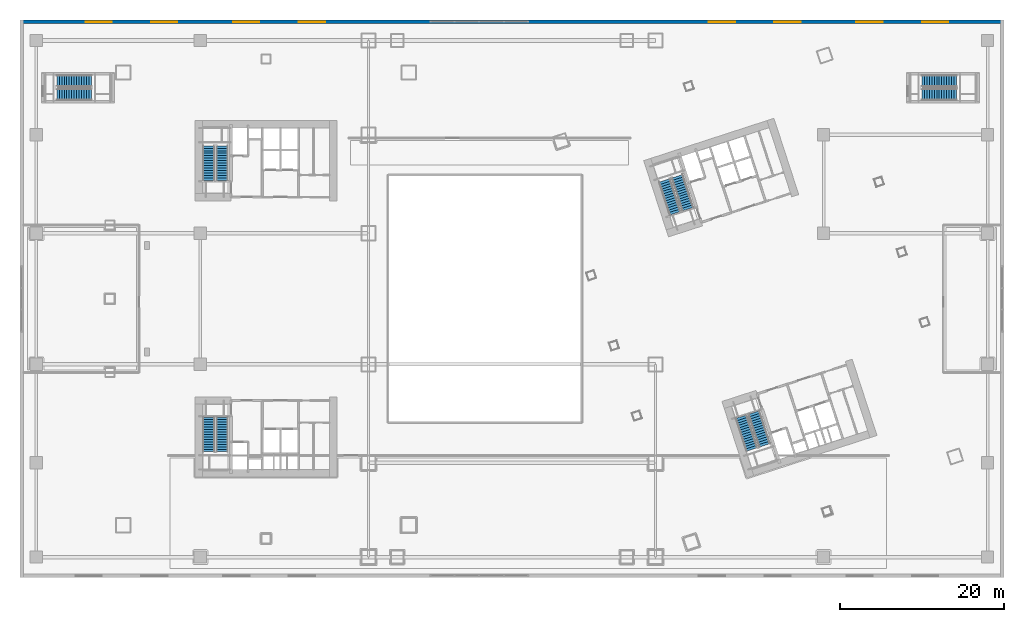
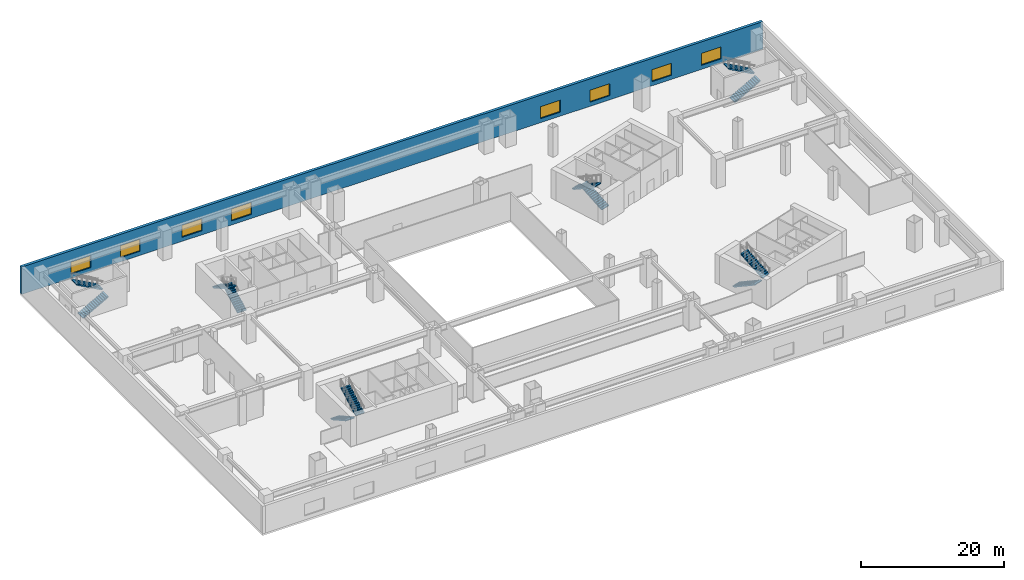
# One storey, part 29 of 35: 12 stair flights, 8 windows, 1 wall, 8 openings, 6 elements without a shape of their own.
"""IFC4 building model written with IfcOpenShell, lengths in metres."""

from ifc_helpers import new_model, si_unit, direction, frame, frame_2d, origin, place, context, subcontext, project, spatial, polyline, rectangle, outline, extrude, material, layer, layer_set, type_object, element, fill, aggregate, save


model = new_model("IFC4")

# Units and contexts
model_context = context("Model", 3, precision=1e-05, world=origin(), true_north=direction((0.0, 1.0)))
body_context = subcontext(model_context, "Body", "Model", "MODEL_VIEW")
ifc_project = project(units=[si_unit("LENGTHUNIT", "METRE"), si_unit("AREAUNIT", "SQUARE_METRE"), si_unit("VOLUMEUNIT", "CUBIC_METRE"), si_unit("PLANEANGLEUNIT", "RADIAN"), si_unit("MASSUNIT", "GRAM", prefix="KILO")], contexts=[model_context])

# Site, building, storey
site_placement = place(None, origin())
site = spatial("IfcSite", under=ifc_project, at=site_placement, CompositionType="ELEMENT")
building_placement = place(site_placement, origin())
building = spatial("IfcBuilding", under=site, at=building_placement, Name="Qiaolan Cultural Towers", CompositionType="ELEMENT")
storey_placement = place(building_placement, frame((0.0, 0.0, 11.5)))
storey = spatial("IfcBuildingStorey", under=building, at=storey_placement, Name="L02", CompositionType="ELEMENT", Elevation=11.5)

# Wall, openings, windows
ifc_material_1 = material(Name="Precast Concrete C50 Bush-Hammered Granite Pier", Category="masonry")
ifc_layer = layer(ifc_material_1, 0.449951171875)
ifc_layer_set = layer_set([ifc_layer], Name="Precast Concrete C50 Bush-Hammered Granite Pier")
wall_type = type_object("IfcWallType", Name="WL-EXT-POD-450", PredefinedType="SOLIDWALL", material=ifc_layer_set)
wall_placement = place(storey_placement, frame((0.0, 67.77490234375, 0.0), z_axis=(0.0, 0.0, 1.0), x_axis=(1.0, 0.0, 0.0)))
wall = element("IfcWall", 1, at=wall_placement, inside=storey, type_object=wall_type, Name="L02 Podium Precast Facade Wall NORTH", PredefinedType="SOLIDWALL", context=body_context, shape_type="SweptSolid", body=[
    extrude(rectangle(XDim=120.0, YDim=0.449951171875, at=frame_2d((60.0, 0.0))), origin(), (0.0, 0.0, 1.0), 4.699951171875),
])
opening_1_placement = place(wall_placement, frame((8.0, 0.0, 0.699951171875)))
opening_1 = element("IfcOpeningElement", 2, at=opening_1_placement, cuts=wall, Name="Opening W-04", PredefinedType="OPENING", context=body_context, shape_type="SweptSolid", body=[
    extrude(rectangle(XDim=3.199951171875, YDim=2.050048828125, at=frame_2d((1.60009765625, 1.02490234375))), frame((0.0, 0.23486328125, 0.0), z_axis=(0.0, -1.0, 0.0), x_axis=(1.0, 0.0, 0.0)), (0.0, 0.0, 1.0), 0.469970703125),
])
opening_2_placement = place(wall_placement, frame((16.0, 0.0, 0.699951171875)))
opening_2 = element("IfcOpeningElement", 3, at=opening_2_placement, cuts=wall, Name="Opening W-04", PredefinedType="OPENING", context=body_context, shape_type="SweptSolid", body=[
    extrude(rectangle(XDim=3.199951171875, YDim=2.050048828125, at=frame_2d((1.60009765625, 1.02490234375))), frame((0.0, 0.23486328125, 0.0), z_axis=(0.0, -1.0, 0.0), x_axis=(1.0, 0.0, 0.0)), (0.0, 0.0, 1.0), 0.469970703125),
])
opening_3_placement = place(wall_placement, frame((26.0, 0.0, 0.699951171875)))
opening_3 = element("IfcOpeningElement", 4, at=opening_3_placement, cuts=wall, Name="Opening W-04", PredefinedType="OPENING", context=body_context, shape_type="SweptSolid", body=[
    extrude(rectangle(XDim=3.199951171875, YDim=2.050048828125, at=frame_2d((1.60009765625, 1.02490234375))), frame((0.0, 0.23486328125, 0.0), z_axis=(0.0, -1.0, 0.0), x_axis=(1.0, 0.0, 0.0)), (0.0, 0.0, 1.0), 0.469970703125),
])
opening_4_placement = place(wall_placement, frame((34.0, 0.0, 0.699951171875)))
opening_4 = element("IfcOpeningElement", 5, at=opening_4_placement, cuts=wall, Name="Opening W-04", PredefinedType="OPENING", context=body_context, shape_type="SweptSolid", body=[
    extrude(rectangle(XDim=3.199951171875, YDim=2.050048828125, at=frame_2d((1.60009765625, 1.02490234375))), frame((0.0, 0.23486328125, 0.0), z_axis=(0.0, -1.0, 0.0), x_axis=(1.0, 0.0, 0.0)), (0.0, 0.0, 1.0), 0.469970703125),
])
opening_5_placement = place(wall_placement, frame((84.0, 0.0, 0.699951171875)))
opening_5 = element("IfcOpeningElement", 6, at=opening_5_placement, cuts=wall, Name="Opening W-04", PredefinedType="OPENING", context=body_context, shape_type="SweptSolid", body=[
    extrude(rectangle(XDim=3.199951171875, YDim=2.050048828125, at=frame_2d((1.60009765625, 1.02490234375))), frame((0.0, 0.23486328125, 0.0), z_axis=(0.0, -1.0, 0.0), x_axis=(1.0, 0.0, 0.0)), (0.0, 0.0, 1.0), 0.469970703125),
])
opening_6_placement = place(wall_placement, frame((92.0, 0.0, 0.699951171875)))
opening_6 = element("IfcOpeningElement", 7, at=opening_6_placement, cuts=wall, Name="Opening W-04", PredefinedType="OPENING", context=body_context, shape_type="SweptSolid", body=[
    extrude(rectangle(XDim=3.199951171875, YDim=2.050048828125, at=frame_2d((1.60009765625, 1.02490234375))), frame((0.0, 0.23486328125, 0.0), z_axis=(0.0, -1.0, 0.0), x_axis=(1.0, 0.0, 0.0)), (0.0, 0.0, 1.0), 0.469970703125),
])
opening_7_placement = place(wall_placement, frame((102.0, 0.0, 0.699951171875)))
opening_7 = element("IfcOpeningElement", 8, at=opening_7_placement, cuts=wall, Name="Opening W-04", PredefinedType="OPENING", context=body_context, shape_type="SweptSolid", body=[
    extrude(rectangle(XDim=3.199951171875, YDim=2.050048828125, at=frame_2d((1.60009765625, 1.02490234375))), frame((0.0, 0.23486328125, 0.0), z_axis=(0.0, -1.0, 0.0), x_axis=(1.0, 0.0, 0.0)), (0.0, 0.0, 1.0), 0.469970703125),
])
opening_8_placement = place(wall_placement, frame((110.0, 0.0, 0.699951171875)))
opening_8 = element("IfcOpeningElement", 9, at=opening_8_placement, cuts=wall, Name="Opening W-04", PredefinedType="OPENING", context=body_context, shape_type="SweptSolid", body=[
    extrude(rectangle(XDim=3.199951171875, YDim=2.050048828125, at=frame_2d((1.60009765625, 1.02490234375))), frame((0.0, 0.23486328125, 0.0), z_axis=(0.0, -1.0, 0.0), x_axis=(1.0, 0.0, 0.0)), (0.0, 0.0, 1.0), 0.469970703125),
])
ifc_material_2 = material(Name="Thermally Broken Aluminium Triple Low-E Glazing", Category="aluminium")
window_type = type_object("IfcWindowType", Name="WN-POD-3200", PartitioningType="SINGLE_PANEL", PredefinedType="WINDOW", material=ifc_material_2)
window_1_placement = place(opening_1_placement, origin())
window_1 = element("IfcWindow", 10, at=window_1_placement, inside=storey, type_object=window_type, Name="L02 Podium Chicago Window NORTH-01", OverallHeight=2.050048828125, OverallWidth=3.199951171875, PartitioningType="TRIPLE_PANEL_VERTICAL", PredefinedType="WINDOW", context=body_context, shape_type="SweptSolid", body=[
    extrude(rectangle(XDim=3.199951171875, YDim=2.050048828125, at=frame_2d((1.60009765625, 1.02490234375))), frame((0.0, 0.030029296875, 0.0), z_axis=(0.0, -1.0, 0.0), x_axis=(1.0, 0.0, 0.0)), (0.0, 0.0, 1.0), 0.06005859375),
])
fill(opening_1, window_1)
window_2_placement = place(opening_2_placement, origin())
window_2 = element("IfcWindow", 11, at=window_2_placement, inside=storey, type_object=window_type, Name="L02 Podium Chicago Window NORTH-02", OverallHeight=2.050048828125, OverallWidth=3.199951171875, PartitioningType="TRIPLE_PANEL_VERTICAL", PredefinedType="WINDOW", context=body_context, shape_type="SweptSolid", body=[
    extrude(rectangle(XDim=3.199951171875, YDim=2.050048828125, at=frame_2d((1.60009765625, 1.02490234375))), frame((0.0, 0.030029296875, 0.0), z_axis=(0.0, -1.0, 0.0), x_axis=(1.0, 0.0, 0.0)), (0.0, 0.0, 1.0), 0.06005859375),
])
fill(opening_2, window_2)
window_3_placement = place(opening_3_placement, origin())
window_3 = element("IfcWindow", 12, at=window_3_placement, inside=storey, type_object=window_type, Name="L02 Podium Chicago Window NORTH-03", OverallHeight=2.050048828125, OverallWidth=3.199951171875, PartitioningType="TRIPLE_PANEL_VERTICAL", PredefinedType="WINDOW", context=body_context, shape_type="SweptSolid", body=[
    extrude(rectangle(XDim=3.199951171875, YDim=2.050048828125, at=frame_2d((1.60009765625, 1.02490234375))), frame((0.0, 0.030029296875, 0.0), z_axis=(0.0, -1.0, 0.0), x_axis=(1.0, 0.0, 0.0)), (0.0, 0.0, 1.0), 0.06005859375),
])
fill(opening_3, window_3)
window_4_placement = place(opening_4_placement, origin())
window_4 = element("IfcWindow", 13, at=window_4_placement, inside=storey, type_object=window_type, Name="L02 Podium Chicago Window NORTH-04", OverallHeight=2.050048828125, OverallWidth=3.199951171875, PartitioningType="TRIPLE_PANEL_VERTICAL", PredefinedType="WINDOW", context=body_context, shape_type="SweptSolid", body=[
    extrude(rectangle(XDim=3.199951171875, YDim=2.050048828125, at=frame_2d((1.60009765625, 1.02490234375))), frame((0.0, 0.030029296875, 0.0), z_axis=(0.0, -1.0, 0.0), x_axis=(1.0, 0.0, 0.0)), (0.0, 0.0, 1.0), 0.06005859375),
])
fill(opening_4, window_4)
window_5_placement = place(opening_5_placement, origin())
window_5 = element("IfcWindow", 14, at=window_5_placement, inside=storey, type_object=window_type, Name="L02 Podium Chicago Window NORTH-05", OverallHeight=2.050048828125, OverallWidth=3.199951171875, PartitioningType="TRIPLE_PANEL_VERTICAL", PredefinedType="WINDOW", context=body_context, shape_type="SweptSolid", body=[
    extrude(rectangle(XDim=3.199951171875, YDim=2.050048828125, at=frame_2d((1.60009765625, 1.02490234375))), frame((0.0, 0.030029296875, 0.0), z_axis=(0.0, -1.0, 0.0), x_axis=(1.0, 0.0, 0.0)), (0.0, 0.0, 1.0), 0.06005859375),
])
fill(opening_5, window_5)
window_6_placement = place(opening_6_placement, origin())
window_6 = element("IfcWindow", 15, at=window_6_placement, inside=storey, type_object=window_type, Name="L02 Podium Chicago Window NORTH-06", OverallHeight=2.050048828125, OverallWidth=3.199951171875, PartitioningType="TRIPLE_PANEL_VERTICAL", PredefinedType="WINDOW", context=body_context, shape_type="SweptSolid", body=[
    extrude(rectangle(XDim=3.199951171875, YDim=2.050048828125, at=frame_2d((1.60009765625, 1.02490234375))), frame((0.0, 0.030029296875, 0.0), z_axis=(0.0, -1.0, 0.0), x_axis=(1.0, 0.0, 0.0)), (0.0, 0.0, 1.0), 0.06005859375),
])
fill(opening_6, window_6)
window_7_placement = place(opening_7_placement, origin())
window_7 = element("IfcWindow", 16, at=window_7_placement, inside=storey, type_object=window_type, Name="L02 Podium Chicago Window NORTH-07", OverallHeight=2.050048828125, OverallWidth=3.199951171875, PartitioningType="TRIPLE_PANEL_VERTICAL", PredefinedType="WINDOW", context=body_context, shape_type="SweptSolid", body=[
    extrude(rectangle(XDim=3.199951171875, YDim=2.050048828125, at=frame_2d((1.60009765625, 1.02490234375))), frame((0.0, 0.030029296875, 0.0), z_axis=(0.0, -1.0, 0.0), x_axis=(1.0, 0.0, 0.0)), (0.0, 0.0, 1.0), 0.06005859375),
])
fill(opening_7, window_7)
window_8_placement = place(opening_8_placement, origin())
window_8 = element("IfcWindow", 17, at=window_8_placement, inside=storey, type_object=window_type, Name="L02 Podium Chicago Window NORTH-08", OverallHeight=2.050048828125, OverallWidth=3.199951171875, PartitioningType="TRIPLE_PANEL_VERTICAL", PredefinedType="WINDOW", context=body_context, shape_type="SweptSolid", body=[
    extrude(rectangle(XDim=3.199951171875, YDim=2.050048828125, at=frame_2d((1.60009765625, 1.02490234375))), frame((0.0, 0.030029296875, 0.0), z_axis=(0.0, -1.0, 0.0), x_axis=(1.0, 0.0, 0.0)), (0.0, 0.0, 1.0), 0.06005859375),
])
fill(opening_8, window_8)

# Stair, stair flights
ifc_material_3 = material(Name="Concrete C45", Category="concrete")
stair_type_1 = type_object("IfcStairType", Name="STR-CORE-1500", PredefinedType="HALF_TURN_STAIR", material=ifc_material_3)
stair_1_placement = place(storey_placement, origin())
stair_1 = element("IfcStair", 18, at=stair_1_placement, inside=storey, type_object=stair_type_1, Name="L02 Smokeproof Exit Stair ST-W1", PredefinedType="HALF_TURN_STAIR")
ifc_material_4 = material(Name="Concrete C45", Category="concrete")
stair_flight_type_1 = type_object("IfcStairFlightType", Name="STR-CORE-1500-FL", PredefinedType="STRAIGHT", material=ifc_material_4)
stair_flight_1_placement = place(storey_placement, frame((23.02001953125, 19.550048828125, 0.0), z_axis=(0.0, 0.0, 1.0), x_axis=(0.0, -1.0, 0.0)))
stair_flight_1 = element("IfcStairFlight", 19, at=stair_flight_1_placement, type_object=stair_flight_type_1, Name="ST-W1 flight 1", NumberOfRisers=15, NumberOfTreads=14, PredefinedType="STRAIGHT", RiserHeight=0.166666667, TreadLength=0.3, context=body_context, shape_type="SweptSolid", body=[
    extrude(outline(polyline([(0.0, 0.0), (0.0, 0.166748046875), (0.300048828125, 0.166748046875), (0.300048828125, 0.333251953125), (0.60009765625, 0.333251953125), (0.60009765625, 0.5), (0.89990234375, 0.5), (0.89990234375, 0.666748046875), (1.199951171875, 0.666748046875), (1.199951171875, 0.833251953125), (1.5, 0.833251953125), (1.5, 1.0), (1.800048828125, 1.0), (1.800048828125, 1.166748046875), (2.10009765625, 1.166748046875), (2.10009765625, 1.333251953125), (2.39990234375, 1.333251953125), (2.39990234375, 1.5), (2.699951171875, 1.5), (2.699951171875, 1.666748046875), (3.0, 1.666748046875), (3.0, 1.833251953125), (3.300048828125, 1.833251953125), (3.300048828125, 2.0), (3.60009765625, 2.0), (3.60009765625, 2.166748046875), (3.89990234375, 2.166748046875), (3.89990234375, 2.333251953125), (4.199951171875, 2.333251953125), (4.199951171875, 2.5), (4.199951171875, 2.161865234375), (0.30859375, 0.0), (0.0, 0.0)])), frame((0.0, 0.719970703125, 0.0), z_axis=(0.0, -1.0, 0.0), x_axis=(1.0, 0.0, 0.0)), (0.0, 0.0, 1.0), 1.43994140625),
])
stair_flight_2_placement = place(storey_placement, frame((24.659912109375, 15.35009765625, 2.5), z_axis=(0.0, 0.0, 1.0), x_axis=(0.0, 1.0, 0.0)))
stair_flight_2 = element("IfcStairFlight", 20, at=stair_flight_2_placement, type_object=stair_flight_type_1, Name="ST-W1 flight 2", NumberOfRisers=15, NumberOfTreads=14, PredefinedType="STRAIGHT", RiserHeight=0.166666667, TreadLength=0.3, context=body_context, shape_type="SweptSolid", body=[
    extrude(outline(polyline([(0.0, 0.0), (0.0, 0.166748046875), (0.300048828125, 0.166748046875), (0.300048828125, 0.333251953125), (0.60009765625, 0.333251953125), (0.60009765625, 0.5), (0.89990234375, 0.5), (0.89990234375, 0.666748046875), (1.199951171875, 0.666748046875), (1.199951171875, 0.833251953125), (1.5, 0.833251953125), (1.5, 1.0), (1.800048828125, 1.0), (1.800048828125, 1.166748046875), (2.10009765625, 1.166748046875), (2.10009765625, 1.333251953125), (2.39990234375, 1.333251953125), (2.39990234375, 1.5), (2.699951171875, 1.5), (2.699951171875, 1.666748046875), (3.0, 1.666748046875), (3.0, 1.833251953125), (3.300048828125, 1.833251953125), (3.300048828125, 2.0), (3.60009765625, 2.0), (3.60009765625, 2.166748046875), (3.89990234375, 2.166748046875), (3.89990234375, 2.333251953125), (4.199951171875, 2.333251953125), (4.199951171875, 2.5), (4.199951171875, 2.161865234375), (0.30859375, 0.0), (0.0, 0.0)])), frame((0.0, 0.719970703125, 0.0), z_axis=(0.0, -1.0, 0.0), x_axis=(1.0, 0.0, 0.0)), (0.0, 0.0, 1.0), 1.43994140625),
])
aggregate(stair_1, [stair_flight_1, stair_flight_2])

stair_2_placement = place(storey_placement, origin())
stair_2 = element("IfcStair", 21, at=stair_2_placement, inside=storey, type_object=stair_type_1, Name="L02 Smokeproof Exit Stair ST-W2", PredefinedType="HALF_TURN_STAIR")
stair_flight_3_placement = place(storey_placement, frame((24.659912109375, 48.449951171875, 0.0), z_axis=(0.0, 0.0, 1.0), x_axis=(0.0, 1.0, 0.0)))
stair_flight_3 = element("IfcStairFlight", 22, at=stair_flight_3_placement, type_object=stair_flight_type_1, Name="ST-W2 flight 1", NumberOfRisers=15, NumberOfTreads=14, PredefinedType="STRAIGHT", RiserHeight=0.166666667, TreadLength=0.3, context=body_context, shape_type="SweptSolid", body=[
    extrude(outline(polyline([(0.0, 0.0), (0.0, 0.166748046875), (0.300048828125, 0.166748046875), (0.300048828125, 0.333251953125), (0.60009765625, 0.333251953125), (0.60009765625, 0.5), (0.89990234375, 0.5), (0.89990234375, 0.666748046875), (1.199951171875, 0.666748046875), (1.199951171875, 0.833251953125), (1.5, 0.833251953125), (1.5, 1.0), (1.800048828125, 1.0), (1.800048828125, 1.166748046875), (2.10009765625, 1.166748046875), (2.10009765625, 1.333251953125), (2.39990234375, 1.333251953125), (2.39990234375, 1.5), (2.699951171875, 1.5), (2.699951171875, 1.666748046875), (3.0, 1.666748046875), (3.0, 1.833251953125), (3.300048828125, 1.833251953125), (3.300048828125, 2.0), (3.60009765625, 2.0), (3.60009765625, 2.166748046875), (3.89990234375, 2.166748046875), (3.89990234375, 2.333251953125), (4.199951171875, 2.333251953125), (4.199951171875, 2.5), (4.199951171875, 2.161865234375), (0.30859375, 0.0), (0.0, 0.0)])), frame((0.0, 0.719970703125, 0.0), z_axis=(0.0, -1.0, 0.0), x_axis=(1.0, 0.0, 0.0)), (0.0, 0.0, 1.0), 1.43994140625),
])
stair_flight_4_placement = place(storey_placement, frame((23.02001953125, 52.64990234375, 2.5), z_axis=(0.0, 0.0, 1.0), x_axis=(0.0, -1.0, 0.0)))
stair_flight_4 = element("IfcStairFlight", 23, at=stair_flight_4_placement, type_object=stair_flight_type_1, Name="ST-W2 flight 2", NumberOfRisers=15, NumberOfTreads=14, PredefinedType="STRAIGHT", RiserHeight=0.166666667, TreadLength=0.3, context=body_context, shape_type="SweptSolid", body=[
    extrude(outline(polyline([(0.0, 0.0), (0.0, 0.166748046875), (0.300048828125, 0.166748046875), (0.300048828125, 0.333251953125), (0.60009765625, 0.333251953125), (0.60009765625, 0.5), (0.89990234375, 0.5), (0.89990234375, 0.666748046875), (1.199951171875, 0.666748046875), (1.199951171875, 0.833251953125), (1.5, 0.833251953125), (1.5, 1.0), (1.800048828125, 1.0), (1.800048828125, 1.166748046875), (2.10009765625, 1.166748046875), (2.10009765625, 1.333251953125), (2.39990234375, 1.333251953125), (2.39990234375, 1.5), (2.699951171875, 1.5), (2.699951171875, 1.666748046875), (3.0, 1.666748046875), (3.0, 1.833251953125), (3.300048828125, 1.833251953125), (3.300048828125, 2.0), (3.60009765625, 2.0), (3.60009765625, 2.166748046875), (3.89990234375, 2.166748046875), (3.89990234375, 2.333251953125), (4.199951171875, 2.333251953125), (4.199951171875, 2.5), (4.199951171875, 2.161865234375), (0.30859375, 0.0), (0.0, 0.0)])), frame((0.0, 0.719970703125, 0.0), z_axis=(0.0, -1.0, 0.0), x_axis=(1.0, 0.0, 0.0)), (0.0, 0.0, 1.0), 1.43994140625),
])
aggregate(stair_2, [stair_flight_3, stair_flight_4])

stair_3_placement = place(storey_placement, origin())
stair_3 = element("IfcStair", 24, at=stair_3_placement, inside=storey, type_object=stair_type_1, Name="L02 Smokeproof Exit Stair ST-E1", PredefinedType="HALF_TURN_STAIR")
stair_flight_5_placement = place(storey_placement, frame((87.96484375, 19.6171875, 0.0), z_axis=(0.0, 0.0, 1.0), x_axis=(0.309016994375, -0.951056516295, 0.0)))
stair_flight_5 = element("IfcStairFlight", 25, at=stair_flight_5_placement, type_object=stair_flight_type_1, Name="ST-E1 flight 1", NumberOfRisers=15, NumberOfTreads=14, PredefinedType="STRAIGHT", RiserHeight=0.166666667, TreadLength=0.3, context=body_context, shape_type="SweptSolid", body=[
    extrude(outline(polyline([(0.0, 0.0), (0.0, 0.166748046875), (0.300048828125, 0.166748046875), (0.300048828125, 0.333251953125), (0.60009765625, 0.333251953125), (0.60009765625, 0.5), (0.89990234375, 0.5), (0.89990234375, 0.666748046875), (1.199951171875, 0.666748046875), (1.199951171875, 0.833251953125), (1.5, 0.833251953125), (1.5, 1.0), (1.800048828125, 1.0), (1.800048828125, 1.166748046875), (2.10009765625, 1.166748046875), (2.10009765625, 1.333251953125), (2.39990234375, 1.333251953125), (2.39990234375, 1.5), (2.699951171875, 1.5), (2.699951171875, 1.666748046875), (3.0, 1.666748046875), (3.0, 1.833251953125), (3.300048828125, 1.833251953125), (3.300048828125, 2.0), (3.60009765625, 2.0), (3.60009765625, 2.166748046875), (3.89990234375, 2.166748046875), (3.89990234375, 2.333251953125), (4.199951171875, 2.333251953125), (4.199951171875, 2.5), (4.199951171875, 2.161865234375), (0.30859375, 0.0), (0.0, 0.0)])), frame((0.0, 0.719970703125, 0.0), z_axis=(0.0, -1.0, 0.0), x_axis=(1.0, 0.0, 0.0)), (0.0, 0.0, 1.0), 1.43994140625),
])
stair_flight_6_placement = place(storey_placement, frame((90.822509765625, 16.129638671875, 2.5), z_axis=(0.0, 0.0, 1.0), x_axis=(-0.309016994375, 0.951056516295, 0.0)))
stair_flight_6 = element("IfcStairFlight", 26, at=stair_flight_6_placement, type_object=stair_flight_type_1, Name="ST-E1 flight 2", NumberOfRisers=15, NumberOfTreads=14, PredefinedType="STRAIGHT", RiserHeight=0.166666667, TreadLength=0.3, context=body_context, shape_type="SweptSolid", body=[
    extrude(outline(polyline([(0.0, 0.0), (0.0, 0.166748046875), (0.300048828125, 0.166748046875), (0.300048828125, 0.333251953125), (0.60009765625, 0.333251953125), (0.60009765625, 0.5), (0.89990234375, 0.5), (0.89990234375, 0.666748046875), (1.199951171875, 0.666748046875), (1.199951171875, 0.833251953125), (1.5, 0.833251953125), (1.5, 1.0), (1.800048828125, 1.0), (1.800048828125, 1.166748046875), (2.10009765625, 1.166748046875), (2.10009765625, 1.333251953125), (2.39990234375, 1.333251953125), (2.39990234375, 1.5), (2.699951171875, 1.5), (2.699951171875, 1.666748046875), (3.0, 1.666748046875), (3.0, 1.833251953125), (3.300048828125, 1.833251953125), (3.300048828125, 2.0), (3.60009765625, 2.0), (3.60009765625, 2.166748046875), (3.89990234375, 2.166748046875), (3.89990234375, 2.333251953125), (4.199951171875, 2.333251953125), (4.199951171875, 2.5), (4.199951171875, 2.161865234375), (0.30859375, 0.0), (0.0, 0.0)])), frame((0.0, 0.719970703125, 0.0), z_axis=(0.0, -1.0, 0.0), x_axis=(1.0, 0.0, 0.0)), (0.0, 0.0, 1.0), 1.43994140625),
])
aggregate(stair_3, [stair_flight_5, stair_flight_6])

stair_4_placement = place(storey_placement, origin())
stair_4 = element("IfcStair", 27, at=stair_4_placement, inside=storey, type_object=stair_type_1, Name="L02 Smokeproof Exit Stair ST-E2", PredefinedType="HALF_TURN_STAIR")
stair_flight_7_placement = place(storey_placement, frame((81.459228515625, 44.946533203125, 0.0), z_axis=(0.0, 0.0, 1.0), x_axis=(-0.309016994375, 0.951056516295, 0.0)))
stair_flight_7 = element("IfcStairFlight", 28, at=stair_flight_7_placement, type_object=stair_flight_type_1, Name="ST-E2 flight 1", NumberOfRisers=15, NumberOfTreads=14, PredefinedType="STRAIGHT", RiserHeight=0.166666667, TreadLength=0.3, context=body_context, shape_type="SweptSolid", body=[
    extrude(outline(polyline([(0.0, 0.0), (0.0, 0.166748046875), (0.300048828125, 0.166748046875), (0.300048828125, 0.333251953125), (0.60009765625, 0.333251953125), (0.60009765625, 0.5), (0.89990234375, 0.5), (0.89990234375, 0.666748046875), (1.199951171875, 0.666748046875), (1.199951171875, 0.833251953125), (1.5, 0.833251953125), (1.5, 1.0), (1.800048828125, 1.0), (1.800048828125, 1.166748046875), (2.10009765625, 1.166748046875), (2.10009765625, 1.333251953125), (2.39990234375, 1.333251953125), (2.39990234375, 1.5), (2.699951171875, 1.5), (2.699951171875, 1.666748046875), (3.0, 1.666748046875), (3.0, 1.833251953125), (3.300048828125, 1.833251953125), (3.300048828125, 2.0), (3.60009765625, 2.0), (3.60009765625, 2.166748046875), (3.89990234375, 2.166748046875), (3.89990234375, 2.333251953125), (4.199951171875, 2.333251953125), (4.199951171875, 2.5), (4.199951171875, 2.161865234375), (0.30859375, 0.0), (0.0, 0.0)])), frame((0.0, 0.719970703125, 0.0), z_axis=(0.0, -1.0, 0.0), x_axis=(1.0, 0.0, 0.0)), (0.0, 0.0, 1.0), 1.43994140625),
])
stair_flight_8_placement = place(storey_placement, frame((78.601806640625, 48.43408203125, 2.5), z_axis=(0.0, 0.0, 1.0), x_axis=(0.309016994375, -0.951056516295, 0.0)))
stair_flight_8 = element("IfcStairFlight", 29, at=stair_flight_8_placement, type_object=stair_flight_type_1, Name="ST-E2 flight 2", NumberOfRisers=15, NumberOfTreads=14, PredefinedType="STRAIGHT", RiserHeight=0.166666667, TreadLength=0.3, context=body_context, shape_type="SweptSolid", body=[
    extrude(outline(polyline([(0.0, 0.0), (0.0, 0.166748046875), (0.300048828125, 0.166748046875), (0.300048828125, 0.333251953125), (0.60009765625, 0.333251953125), (0.60009765625, 0.5), (0.89990234375, 0.5), (0.89990234375, 0.666748046875), (1.199951171875, 0.666748046875), (1.199951171875, 0.833251953125), (1.5, 0.833251953125), (1.5, 1.0), (1.800048828125, 1.0), (1.800048828125, 1.166748046875), (2.10009765625, 1.166748046875), (2.10009765625, 1.333251953125), (2.39990234375, 1.333251953125), (2.39990234375, 1.5), (2.699951171875, 1.5), (2.699951171875, 1.666748046875), (3.0, 1.666748046875), (3.0, 1.833251953125), (3.300048828125, 1.833251953125), (3.300048828125, 2.0), (3.60009765625, 2.0), (3.60009765625, 2.166748046875), (3.89990234375, 2.166748046875), (3.89990234375, 2.333251953125), (4.199951171875, 2.333251953125), (4.199951171875, 2.5), (4.199951171875, 2.161865234375), (0.30859375, 0.0), (0.0, 0.0)])), frame((0.0, 0.719970703125, 0.0), z_axis=(0.0, -1.0, 0.0), x_axis=(1.0, 0.0, 0.0)), (0.0, 0.0, 1.0), 1.43994140625),
])
aggregate(stair_4, [stair_flight_7, stair_flight_8])

ifc_material_5 = material(Name="Concrete C45", Category="concrete")
stair_type_2 = type_object("IfcStairType", Name="STR-POD-1650", PredefinedType="HALF_TURN_STAIR", material=ifc_material_5)
stair_5_placement = place(storey_placement, origin())
stair_5 = element("IfcStair", 30, at=stair_5_placement, inside=storey, type_object=stair_type_2, Name="L02 Podium Northwest Exit Stair ST-P1", PredefinedType="HALF_TURN_STAIR")
ifc_material_6 = material(Name="Concrete C45", Category="concrete")
stair_flight_type_2 = type_object("IfcStairFlightType", Name="STR-POD-1650-FL", PredefinedType="STRAIGHT", material=ifc_material_6)
stair_flight_9_placement = place(storey_placement, frame((4.5, 58.925048828125, 0.0), z_axis=(0.0, 0.0, 1.0), x_axis=(1.0, 0.0, 0.0)))
stair_flight_9 = element("IfcStairFlight", 31, at=stair_flight_9_placement, type_object=stair_flight_type_2, Name="ST-P1 flight 1", NumberOfRisers=15, NumberOfTreads=14, PredefinedType="STRAIGHT", RiserHeight=0.166666667, TreadLength=0.3, context=body_context, shape_type="SweptSolid", body=[
    extrude(outline(polyline([(0.0, 0.0), (0.0, 0.166748046875), (0.300048828125, 0.166748046875), (0.300048828125, 0.333251953125), (0.60009765625, 0.333251953125), (0.60009765625, 0.5), (0.89990234375, 0.5), (0.89990234375, 0.666748046875), (1.199951171875, 0.666748046875), (1.199951171875, 0.833251953125), (1.5, 0.833251953125), (1.5, 1.0), (1.800048828125, 1.0), (1.800048828125, 1.166748046875), (2.10009765625, 1.166748046875), (2.10009765625, 1.333251953125), (2.39990234375, 1.333251953125), (2.39990234375, 1.5), (2.699951171875, 1.5), (2.699951171875, 1.666748046875), (3.0, 1.666748046875), (3.0, 1.833251953125), (3.300048828125, 1.833251953125), (3.300048828125, 2.0), (3.60009765625, 2.0), (3.60009765625, 2.166748046875), (3.89990234375, 2.166748046875), (3.89990234375, 2.333251953125), (4.199951171875, 2.333251953125), (4.199951171875, 2.5), (4.199951171875, 2.161865234375), (0.30859375, 0.0), (0.0, 0.0)])), frame((0.0, 0.72509765625, 0.0), z_axis=(0.0, -1.0, 0.0), x_axis=(1.0, 0.0, 0.0)), (0.0, 0.0, 1.0), 1.449951171875),
])
stair_flight_10_placement = place(storey_placement, frame((8.699951171875, 60.574951171875, 2.5), z_axis=(0.0, 0.0, 1.0), x_axis=(-1.0, 0.0, 0.0)))
stair_flight_10 = element("IfcStairFlight", 32, at=stair_flight_10_placement, type_object=stair_flight_type_2, Name="ST-P1 flight 2", NumberOfRisers=15, NumberOfTreads=14, PredefinedType="STRAIGHT", RiserHeight=0.166666667, TreadLength=0.3, context=body_context, shape_type="SweptSolid", body=[
    extrude(outline(polyline([(0.0, 0.0), (0.0, 0.166748046875), (0.300048828125, 0.166748046875), (0.300048828125, 0.333251953125), (0.60009765625, 0.333251953125), (0.60009765625, 0.5), (0.89990234375, 0.5), (0.89990234375, 0.666748046875), (1.199951171875, 0.666748046875), (1.199951171875, 0.833251953125), (1.5, 0.833251953125), (1.5, 1.0), (1.800048828125, 1.0), (1.800048828125, 1.166748046875), (2.10009765625, 1.166748046875), (2.10009765625, 1.333251953125), (2.39990234375, 1.333251953125), (2.39990234375, 1.5), (2.699951171875, 1.5), (2.699951171875, 1.666748046875), (3.0, 1.666748046875), (3.0, 1.833251953125), (3.300048828125, 1.833251953125), (3.300048828125, 2.0), (3.60009765625, 2.0), (3.60009765625, 2.166748046875), (3.89990234375, 2.166748046875), (3.89990234375, 2.333251953125), (4.199951171875, 2.333251953125), (4.199951171875, 2.5), (4.199951171875, 2.161865234375), (0.30859375, 0.0), (0.0, 0.0)])), frame((0.0, 0.72509765625, 0.0), z_axis=(0.0, -1.0, 0.0), x_axis=(1.0, 0.0, 0.0)), (0.0, 0.0, 1.0), 1.449951171875),
])
aggregate(stair_5, [stair_flight_9, stair_flight_10])

stair_6_placement = place(storey_placement, origin())
stair_6 = element("IfcStair", 33, at=stair_6_placement, inside=storey, type_object=stair_type_2, Name="L02 Podium Northeast Exit Stair ST-P2", PredefinedType="HALF_TURN_STAIR")
stair_flight_11_placement = place(storey_placement, frame((110.0, 58.925048828125, 0.0), z_axis=(0.0, 0.0, 1.0), x_axis=(1.0, 0.0, 0.0)))
stair_flight_11 = element("IfcStairFlight", 34, at=stair_flight_11_placement, type_object=stair_flight_type_2, Name="ST-P2 flight 1", NumberOfRisers=15, NumberOfTreads=14, PredefinedType="STRAIGHT", RiserHeight=0.166666667, TreadLength=0.3, context=body_context, shape_type="SweptSolid", body=[
    extrude(outline(polyline([(0.0, 0.0), (0.0, 0.166748046875), (0.300048828125, 0.166748046875), (0.300048828125, 0.333251953125), (0.60009765625, 0.333251953125), (0.60009765625, 0.5), (0.89990234375, 0.5), (0.89990234375, 0.666748046875), (1.199951171875, 0.666748046875), (1.199951171875, 0.833251953125), (1.5, 0.833251953125), (1.5, 1.0), (1.800048828125, 1.0), (1.800048828125, 1.166748046875), (2.10009765625, 1.166748046875), (2.10009765625, 1.333251953125), (2.39990234375, 1.333251953125), (2.39990234375, 1.5), (2.699951171875, 1.5), (2.699951171875, 1.666748046875), (3.0, 1.666748046875), (3.0, 1.833251953125), (3.300048828125, 1.833251953125), (3.300048828125, 2.0), (3.60009765625, 2.0), (3.60009765625, 2.166748046875), (3.89990234375, 2.166748046875), (3.89990234375, 2.333251953125), (4.199951171875, 2.333251953125), (4.199951171875, 2.5), (4.199951171875, 2.161865234375), (0.30859375, 0.0), (0.0, 0.0)])), frame((0.0, 0.72509765625, 0.0), z_axis=(0.0, -1.0, 0.0), x_axis=(1.0, 0.0, 0.0)), (0.0, 0.0, 1.0), 1.449951171875),
])
stair_flight_12_placement = place(storey_placement, frame((114.199951171875, 60.574951171875, 2.5), z_axis=(0.0, 0.0, 1.0), x_axis=(-1.0, 0.0, 0.0)))
stair_flight_12 = element("IfcStairFlight", 35, at=stair_flight_12_placement, type_object=stair_flight_type_2, Name="ST-P2 flight 2", NumberOfRisers=15, NumberOfTreads=14, PredefinedType="STRAIGHT", RiserHeight=0.166666667, TreadLength=0.3, context=body_context, shape_type="SweptSolid", body=[
    extrude(outline(polyline([(0.0, 0.0), (0.0, 0.166748046875), (0.300048828125, 0.166748046875), (0.300048828125, 0.333251953125), (0.60009765625, 0.333251953125), (0.60009765625, 0.5), (0.89990234375, 0.5), (0.89990234375, 0.666748046875), (1.199951171875, 0.666748046875), (1.199951171875, 0.833251953125), (1.5, 0.833251953125), (1.5, 1.0), (1.800048828125, 1.0), (1.800048828125, 1.166748046875), (2.10009765625, 1.166748046875), (2.10009765625, 1.333251953125), (2.39990234375, 1.333251953125), (2.39990234375, 1.5), (2.699951171875, 1.5), (2.699951171875, 1.666748046875), (3.0, 1.666748046875), (3.0, 1.833251953125), (3.300048828125, 1.833251953125), (3.300048828125, 2.0), (3.60009765625, 2.0), (3.60009765625, 2.166748046875), (3.89990234375, 2.166748046875), (3.89990234375, 2.333251953125), (4.199951171875, 2.333251953125), (4.199951171875, 2.5), (4.199951171875, 2.161865234375), (0.30859375, 0.0), (0.0, 0.0)])), frame((0.0, 0.72509765625, 0.0), z_axis=(0.0, -1.0, 0.0), x_axis=(1.0, 0.0, 0.0)), (0.0, 0.0, 1.0), 1.449951171875),
])
aggregate(stair_6, [stair_flight_11, stair_flight_12])

save(model, "model.ifc")
